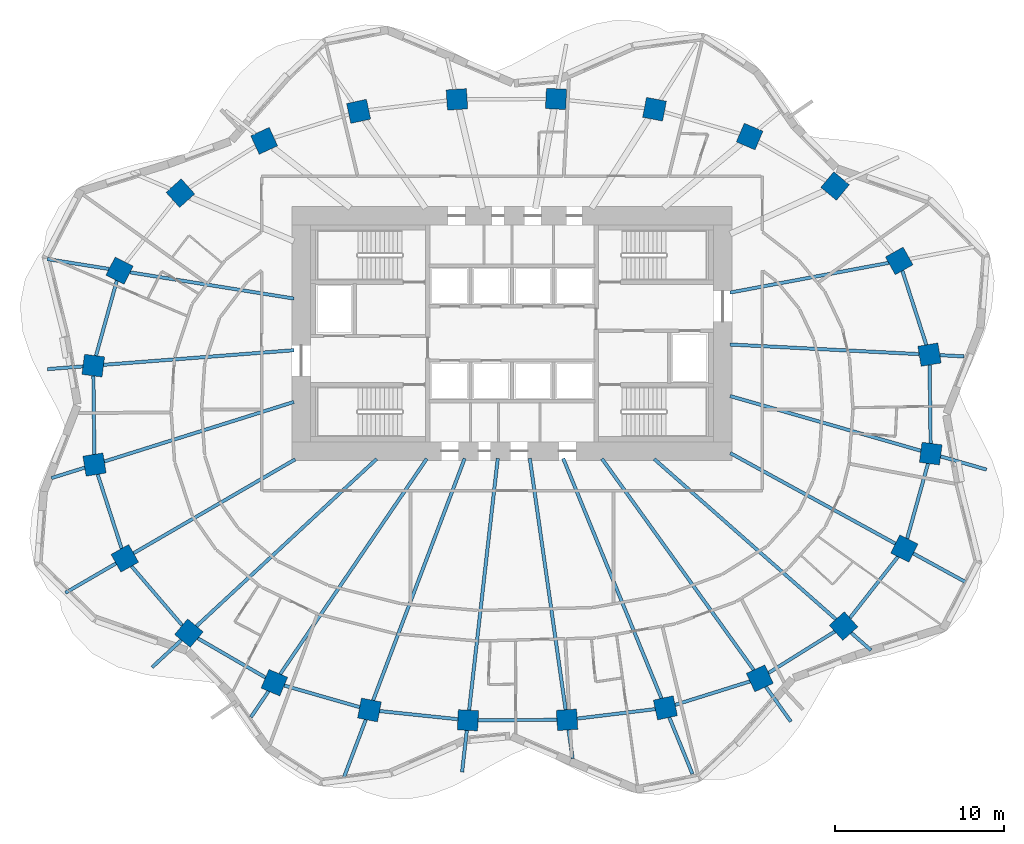
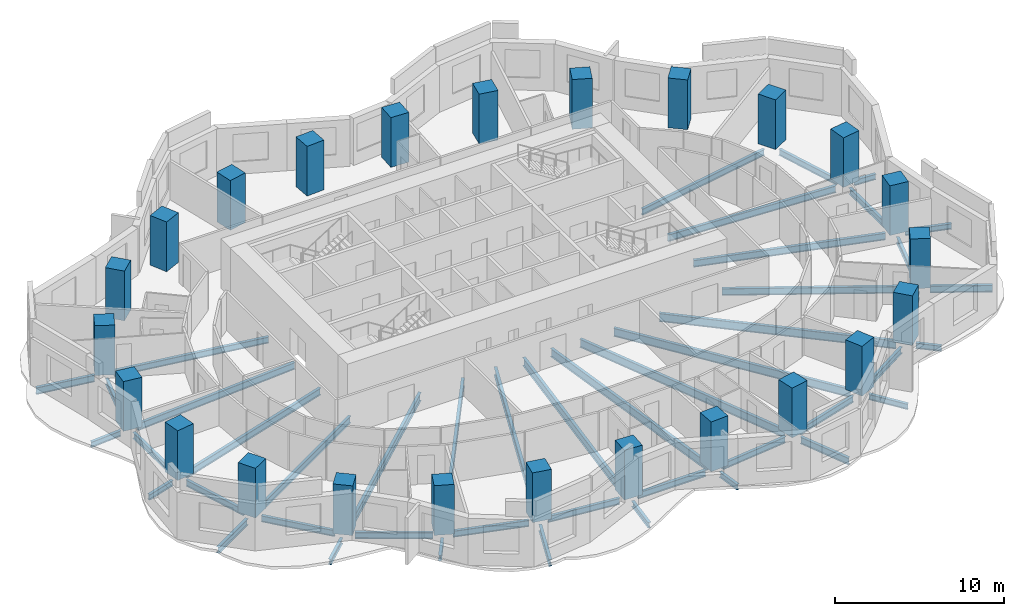
# One storey, part 1 of 10: 46 beams, 24 columns.
"""IFC4 building model written with IfcOpenShell, lengths in metres."""

from ifc_helpers import new_model, si_unit, direction, frame, origin, origin_2d, place, context, subcontext, project, spatial, rectangle, i_section, extrude, material, material_profile, profile_set, type_object, element, save


model = new_model("IFC4")

# Units and contexts
model_context = context("Model", 3, precision=1e-05, world=origin(), true_north=direction((0.0, 1.0)))
body_context = subcontext(model_context, "Body", "Model", "MODEL_VIEW")
ifc_project = project(units=[si_unit("LENGTHUNIT", "METRE"), si_unit("AREAUNIT", "SQUARE_METRE"), si_unit("VOLUMEUNIT", "CUBIC_METRE"), si_unit("PLANEANGLEUNIT", "RADIAN"), si_unit("MASSUNIT", "GRAM", prefix="KILO")], contexts=[model_context])

# Site, building, storey
site_placement = place(None, origin())
site = spatial("IfcSite", under=ifc_project, at=site_placement, CompositionType="ELEMENT")
building_placement = place(site_placement, origin())
building = spatial("IfcBuilding", under=site, at=building_placement, Name="Rubra Terraces Tower", CompositionType="ELEMENT")
storey_placement = place(building_placement, frame((0.0, 0.0, 110.39990234375)))
storey = spatial("IfcBuildingStorey", under=building, at=storey_placement, Name="L26", CompositionType="ELEMENT", Elevation=110.39990234375)

# Columns
ifc_material_1 = material(Name="Concrete C60", Category="concrete")
ifc_material_profile_1 = material_profile(ifc_material_1, rectangle(XDim=1.199951171875, YDim=1.199951171875, at=origin_2d()), Name="RC 1200x1200")
ifc_profile_set_1 = profile_set([ifc_material_profile_1], Name="Concrete C60")
column_type = type_object("IfcColumnType", Name="RING COLUMN RC 1200x1200 C60", PredefinedType="COLUMN", material=ifc_profile_set_1)
for number, where, z_axis, x_axis, name in (
    (1, (24.6689453125, 3.248046875, 0.0), (0.0, 0.0, 1.0), (-0.161559167715, 0.986863027642, 0.0), "column-L26-ring-01"),
    (2, (22.87890625, 8.787109375, 0.0), (0.0, 0.0, 1.0), (-0.48852601316, 0.872549330678, 0.0), "column-L26-ring-02"),
    (3, (19.092041015625, 13.208984375, 0.0), (0.0, 0.0, 1.0), (-0.76886986222, 0.63940529789, 0.0), "column-L26-ring-03"),
    (4, (14.0419921875, 16.135986328125, 0.0), (0.0, 0.0, 1.0), (-0.920167856842, 0.391524092789, 0.0), "column-L26-ring-04"),
    (5, (8.422119140625, 17.7490234375, 0.0), (0.0, 0.0, 1.0), (-0.981654668733, 0.19066754143, 0.0), "column-L26-ring-05"),
    (6, (2.60205078125, 18.35791015625, 0.0), (0.0, 0.0, 1.0), (-0.998764256028, 0.049698700995, 0.0), "column-L26-ring-06"),
    (7, (-3.25390625, 18.330078125, 0.0), (0.0, 0.0, 1.0), (-0.998031548759, -0.062713855578, 0.0), "column-L26-ring-07"),
    (8, (-9.06298828125, 17.625, 0.0), (0.0, 0.0, 1.0), (-0.977652674797, -0.210226657352, 0.0), "column-L26-ring-08"),
    (9, (-14.64306640625, 15.881103515625, 0.0), (0.0, 0.0, 1.0), (-0.908778580451, -0.417278673927, 0.0), "column-L26-ring-09"),
    (10, (-19.593017578125, 12.7900390625, 0.0), (0.0, 0.0, 1.0), (-0.744021317198, -0.668155879683, 0.0), "column-L26-ring-10"),
    (11, (-23.18505859375, 8.2099609375, 0.0), (0.0, 0.0, 1.0), (-0.451027931402, -0.892509834733, 0.0), "column-L26-ring-11"),
    (12, (-24.742919921875, 2.59912109375, 0.0), (0.0, 0.0, 1.0), (-0.128443684554, -0.991716804283, 0.0), "column-L26-ring-12"),
    (13, (-24.6689453125, -3.248046875, 0.0), (0.0, 0.0, 1.0), (0.161559167715, -0.986863027642, 0.0), "column-L26-ring-13"),
    (14, (-22.87890625, -8.787109375, 0.0), (0.0, 0.0, 1.0), (0.48852601316, -0.872549330678, 0.0), "column-L26-ring-14"),
    (15, (-19.092041015625, -13.208984375, 0.0), (0.0, 0.0, 1.0), (0.76886986222, -0.63940529789, 0.0), "column-L26-ring-15"),
    (16, (-14.0419921875, -16.135986328125, 0.0), (0.0, 0.0, 1.0), (0.920167856842, -0.391524092789, 0.0), "column-L26-ring-16"),
    (17, (-8.422119140625, -17.7490234375, 0.0), (0.0, 0.0, 1.0), (0.981654668733, -0.19066754143, 0.0), "column-L26-ring-17"),
    (18, (-2.60205078125, -18.35791015625, 0.0), (0.0, 0.0, 1.0), (0.998764256028, -0.049698700995, 0.0), "column-L26-ring-18"),
    (19, (3.25390625, -18.330078125, 0.0), (0.0, 0.0, 1.0), (0.998031548759, 0.062713855578, 0.0), "column-L26-ring-19"),
    (20, (9.06298828125, -17.625, 0.0), (0.0, 0.0, 1.0), (0.977652674797, 0.210226657352, 0.0), "column-L26-ring-20"),
    (21, (14.64306640625, -15.881103515625, 0.0), (0.0, 0.0, 1.0), (0.908778580451, 0.417278673927, 0.0), "column-L26-ring-21"),
    (22, (19.593017578125, -12.7900390625, 0.0), (0.0, 0.0, 1.0), (0.744021317198, 0.668155879683, 0.0), "column-L26-ring-22"),
    (23, (23.18505859375, -8.2099609375, 0.0), (0.0, 0.0, 1.0), (0.451027931402, 0.892509834733, 0.0), "column-L26-ring-23"),
    (24, (24.742919921875, -2.59912109375, 0.0), (0.0, 0.0, 1.0), (0.128443684554, 0.991716804283, 0.0), "column-L26-ring-24"),
):
    element("IfcColumn", number, at=place(storey_placement, frame(where, z_axis=z_axis, x_axis=x_axis)), inside=storey, type_object=column_type, Name=name, PredefinedType="COLUMN", context=body_context, shape_type="SweptSolid", body=[
        extrude(rectangle(XDim=1.199951171875, YDim=1.199951171875, at=origin_2d()), origin(), (0.0, 0.0, 1.0), 3.60009765625),
    ])

# Beams
ifc_material_2 = material(Name="Steel Q355B", Category="steel")
ifc_material_profile_2 = material_profile(ifc_material_2, i_section(OverallWidth=0.199951171875, OverallDepth=0.39990234375, WebThickness=0.008056640625, FlangeThickness=0.012939453125, at=origin_2d()), Name="HN 400x200x8x13")
ifc_profile_set_2 = profile_set([ifc_material_profile_2], Name="Steel Q355B")
beam_type_1 = type_object("IfcBeamType", Name="CANTILEVER BEAM HN 400x200x8x13", PredefinedType="BEAM", material=ifc_profile_set_2)
beam_1_placement = place(storey_placement, frame((-25.35400390625, 2.552001953125, -0.39990234375), z_axis=(-0.997081005005, -0.076350962387, 0.0), x_axis=(0.076350962387, -0.997081005005, 0.0)))
element("IfcBeam", 25, at=beam_1_placement, inside=storey, type_object=beam_type_1, Name="beam-L26-cant-12", PredefinedType="BEAM", context=body_context, shape_type="SweptSolid", body=[
    extrude(i_section(OverallWidth=0.199951171875, OverallDepth=0.39990234375, WebThickness=0.008056640625, FlangeThickness=0.012939453125, at=origin_2d()), origin(), (0.0, 0.0, 1.0), 2.107177734375),
])
beam_2_placement = place(storey_placement, frame((-25.2470703125, -3.429931640625, -0.39990234375), z_axis=(-0.954082762487, -0.299543122649, 0.0), x_axis=(0.299543122649, -0.954082762487, 0.0)))
element("IfcBeam", 26, at=beam_2_placement, inside=storey, type_object=beam_type_1, Name="beam-L26-cant-13", PredefinedType="BEAM", context=body_context, shape_type="SweptSolid", body=[
    extrude(i_section(OverallWidth=0.199951171875, OverallDepth=0.39990234375, WebThickness=0.008056640625, FlangeThickness=0.012939453125, at=origin_2d()), origin(), (0.0, 0.0, 1.0), 2.060546875),
])
beam_3_placement = place(storey_placement, frame((-19.535888671875, -13.6201171875, -0.39990234375), z_axis=(-0.733024491169, -0.680202245914, 0.0), x_axis=(0.680202245914, -0.733024491169, 0.0)))
element("IfcBeam", 27, at=beam_3_placement, inside=storey, type_object=beam_type_1, Name="beam-L26-cant-15", PredefinedType="BEAM", context=body_context, shape_type="SweptSolid", body=[
    extrude(i_section(OverallWidth=0.199951171875, OverallDepth=0.39990234375, WebThickness=0.008056640625, FlangeThickness=0.012939453125, at=origin_2d()), origin(), (0.0, 0.0, 1.0), 2.37109375),
])
beam_4_placement = place(storey_placement, frame((-14.385986328125, -16.64208984375, -0.39990234375), z_axis=(-0.56272184316, -0.826646313262, 0.0), x_axis=(0.826646313262, -0.56272184316, 0.0)))
element("IfcBeam", 28, at=beam_4_placement, inside=storey, type_object=beam_type_1, Name="beam-L26-cant-16", PredefinedType="BEAM", context=body_context, shape_type="SweptSolid", body=[
    extrude(i_section(OverallWidth=0.199951171875, OverallDepth=0.39990234375, WebThickness=0.008056640625, FlangeThickness=0.012939453125, at=origin_2d()), origin(), (0.0, 0.0, 1.0), 1.84814453125),
])
beam_5_placement = place(storey_placement, frame((-2.669921875, -18.955078125, -0.39990234375), z_axis=(-0.112971566193, -0.99359822123, 0.0), x_axis=(0.99359822123, -0.112971566193, 0.0)))
element("IfcBeam", 29, at=beam_5_placement, inside=storey, type_object=beam_type_1, Name="beam-L26-cant-18", PredefinedType="BEAM", context=body_context, shape_type="SweptSolid", body=[
    extrude(i_section(OverallWidth=0.199951171875, OverallDepth=0.39990234375, WebThickness=0.008056640625, FlangeThickness=0.012939453125, at=origin_2d()), origin(), (0.0, 0.0, 1.0), 2.478759765625),
])
beam_6_placement = place(storey_placement, frame((3.339111328125, -18.926025390625, -0.39990234375), z_axis=(0.14130158393, -0.989966596597, 0.0), x_axis=(0.989966596597, 0.14130158393, 0.0)))
element("IfcBeam", 30, at=beam_6_placement, inside=storey, type_object=beam_type_1, Name="beam-L26-cant-19", PredefinedType="BEAM", context=body_context, shape_type="SweptSolid", body=[
    extrude(i_section(OverallWidth=0.199951171875, OverallDepth=0.39990234375, WebThickness=0.008056640625, FlangeThickness=0.012939453125, at=origin_2d()), origin(), (0.0, 0.0, 1.0), 1.712158203125),
])
beam_7_placement = place(storey_placement, frame((15.0, -16.376953125, -0.39990234375), z_axis=(0.583425401371, -0.812166732288, 0.0), x_axis=(0.812166732288, 0.583425401371, 0.0)))
element("IfcBeam", 31, at=beam_7_placement, inside=storey, type_object=beam_type_1, Name="beam-L26-cant-21", PredefinedType="BEAM", context=body_context, shape_type="SweptSolid", body=[
    extrude(i_section(OverallWidth=0.199951171875, OverallDepth=0.39990234375, WebThickness=0.008056640625, FlangeThickness=0.012939453125, at=origin_2d()), origin(), (0.0, 0.0, 1.0), 2.53173828125),
])
beam_8_placement = place(storey_placement, frame((20.0458984375, -13.18994140625, -0.39990234375), z_axis=(0.749769131402, -0.661699516093, 0.0), x_axis=(0.661699516093, 0.749769131402, 0.0)))
element("IfcBeam", 32, at=beam_8_placement, inside=storey, type_object=beam_type_1, Name="beam-L26-cant-22", PredefinedType="BEAM", context=body_context, shape_type="SweptSolid", body=[
    extrude(i_section(OverallWidth=0.199951171875, OverallDepth=0.39990234375, WebThickness=0.008056640625, FlangeThickness=0.012939453125, at=origin_2d()), origin(), (0.0, 0.0, 1.0), 1.55517578125),
])
beam_9_placement = place(storey_placement, frame((25.325927734375, -2.76611328125, -0.39990234375), z_axis=(0.961210097917, -0.275817235977, 0.0), x_axis=(0.275817235977, 0.961210097917, 0.0)))
element("IfcBeam", 33, at=beam_9_placement, inside=storey, type_object=beam_type_1, Name="beam-L26-cant-24", PredefinedType="BEAM", context=body_context, shape_type="SweptSolid", body=[
    extrude(i_section(OverallWidth=0.199951171875, OverallDepth=0.39990234375, WebThickness=0.008056640625, FlangeThickness=0.012939453125, at=origin_2d()), origin(), (0.0, 0.0, 1.0), 2.82373046875),
])
ifc_material_profile_3 = material_profile(ifc_material_2, i_section(OverallWidth=0.198974609375, OverallDepth=0.446044921875, WebThickness=0.008056640625, FlangeThickness=0.011962890625, at=origin_2d()), Name="HN 446x199x8x12")
ifc_profile_set_3 = profile_set([ifc_material_profile_3], Name="Steel Q355B")
beam_type_2 = type_object("IfcBeamType", Name="CANTILEVER BEAM HN 446x199x8x12", PredefinedType="BEAM", material=ifc_profile_set_3)
beam_10_placement = place(storey_placement, frame((-23.39794921875, -9.087890625, -0.4228515625), z_axis=(-0.864651358246, -0.502372400399, 0.0), x_axis=(0.502372400399, -0.864651358246, 0.0)))
element("IfcBeam", 34, at=beam_10_placement, inside=storey, type_object=beam_type_2, Name="beam-L26-cant-14", PredefinedType="BEAM", context=body_context, shape_type="SweptSolid", body=[
    extrude(i_section(OverallWidth=0.198974609375, OverallDepth=0.446044921875, WebThickness=0.008056640625, FlangeThickness=0.011962890625, at=origin_2d()), origin(), (0.0, 0.0, 1.0), 3.455810546875),
])
ifc_material_profile_4 = material_profile(ifc_material_2, i_section(OverallWidth=0.198974609375, OverallDepth=0.49609375, WebThickness=0.009033203125, FlangeThickness=0.013916015625, at=origin_2d()), Name="HN 496x199x9x14")
ifc_profile_set_4 = profile_set([ifc_material_profile_4], Name="Steel Q355B")
beam_type_3 = type_object("IfcBeamType", Name="CANTILEVER BEAM HN 496x199x9x14", PredefinedType="BEAM", material=ifc_profile_set_4)
beam_11_placement = place(storey_placement, frame((-23.806884765625, 8.31005859375, -0.447998046875), z_axis=(-0.987475125266, 0.157774766614, 0.0), x_axis=(-0.157774766614, -0.987475125266, 0.0)))
element("IfcBeam", 35, at=beam_11_placement, inside=storey, type_object=beam_type_3, Name="beam-L26-cant-11", PredefinedType="BEAM", context=body_context, shape_type="SweptSolid", body=[
    extrude(i_section(OverallWidth=0.198974609375, OverallDepth=0.49609375, WebThickness=0.009033203125, FlangeThickness=0.013916015625, at=origin_2d()), origin(), (0.0, 0.0, 1.0), 3.70751953125),
])
beam_12_placement = place(storey_placement, frame((-8.637939453125, -18.318115234375, -0.447998046875), z_axis=(-0.35401019473, -0.935241563462, 0.0), x_axis=(0.935241563462, -0.35401019473, 0.0)))
element("IfcBeam", 36, at=beam_12_placement, inside=storey, type_object=beam_type_3, Name="beam-L26-cant-17", PredefinedType="BEAM", context=body_context, shape_type="SweptSolid", body=[
    extrude(i_section(OverallWidth=0.198974609375, OverallDepth=0.49609375, WebThickness=0.009033203125, FlangeThickness=0.013916015625, at=origin_2d()), origin(), (0.0, 0.0, 1.0), 3.71435546875),
])
beam_13_placement = place(storey_placement, frame((9.2939453125, -18.18896484375, -0.447998046875), z_axis=(0.379028484882, -0.925385005091, 0.0), x_axis=(0.925385005091, 0.379028484882, 0.0)))
element("IfcBeam", 37, at=beam_13_placement, inside=storey, type_object=beam_type_3, Name="beam-L26-cant-20", PredefinedType="BEAM", context=body_context, shape_type="SweptSolid", body=[
    extrude(i_section(OverallWidth=0.198974609375, OverallDepth=0.49609375, WebThickness=0.009033203125, FlangeThickness=0.013916015625, at=origin_2d()), origin(), (0.0, 0.0, 1.0), 3.603759765625),
])
beam_14_placement = place(storey_placement, frame((23.7109375, -8.4990234375, -0.447998046875), z_axis=(0.876912420627, -0.48065019146, 0.0), x_axis=(0.48065019146, 0.876912420627, 0.0)))
element("IfcBeam", 38, at=beam_14_placement, inside=storey, type_object=beam_type_3, Name="beam-L26-cant-23", PredefinedType="BEAM", context=body_context, shape_type="SweptSolid", body=[
    extrude(i_section(OverallWidth=0.198974609375, OverallDepth=0.49609375, WebThickness=0.009033203125, FlangeThickness=0.013916015625, at=origin_2d()), origin(), (0.0, 0.0, 1.0), 3.717529296875),
])
ifc_material_profile_5 = material_profile(ifc_material_2, i_section(OverallWidth=0.199951171875, OverallDepth=0.39990234375, WebThickness=0.008056640625, FlangeThickness=0.012939453125, at=origin_2d()), Name="HN 400x200x8x13")
ifc_profile_set_5 = profile_set([ifc_material_profile_5], Name="Steel Q355B")
beam_type_4 = type_object("IfcBeamType", Name="CANTILEVER STUB HN 400x200x8x13", PredefinedType="BEAM", material=ifc_profile_set_5)
beam_15_placement = place(storey_placement, frame((25.281982421875, 3.217041015625, -0.39990234375), z_axis=(0.998694153833, -0.051088032848, 0.0), x_axis=(0.051088032848, 0.998694153833, 0.0)))
element("IfcBeam", 39, at=beam_15_placement, inside=storey, type_object=beam_type_4, Name="beam-L26-cant-01", PredefinedType="BEAM", context=body_context, shape_type="SweptSolid", body=[
    extrude(i_section(OverallWidth=0.199951171875, OverallDepth=0.39990234375, WebThickness=0.008056640625, FlangeThickness=0.012939453125, at=origin_2d()), origin(), (0.0, 0.0, 1.0), 1.428955078125),
])
ifc_material_profile_6 = material_profile(ifc_material_2, i_section(OverallWidth=0.198974609375, OverallDepth=0.446044921875, WebThickness=0.008056640625, FlangeThickness=0.011962890625, at=origin_2d()), Name="HN 446x199x8x12")
ifc_profile_set_6 = profile_set([ifc_material_profile_6], Name="Steel Q355B")
beam_type_5 = type_object("IfcBeamType", Name="FLOOR BEAM HN 446x199x8x12", PredefinedType="BEAM", material=ifc_profile_set_6)
beam_16_placement = place(storey_placement, frame((22.257080078125, 8.669921875, -0.4228515625), z_axis=(-0.982909257943, -0.184090713102, 0.0), x_axis=(0.184090713102, -0.982909257943, 0.0)))
element("IfcBeam", 40, at=beam_16_placement, inside=storey, type_object=beam_type_5, Name="beam-L26-floor-02", PredefinedType="BEAM", context=body_context, shape_type="SweptSolid", body=[
    extrude(i_section(OverallWidth=0.198974609375, OverallDepth=0.446044921875, WebThickness=0.008056640625, FlangeThickness=0.011962890625, at=origin_2d()), origin(), (0.0, 0.0, 1.0), 9.5380859375),
])
beam_17_placement = place(storey_placement, frame((-22.56298828125, 8.110107421875, -0.4228515625), z_axis=(0.987438611706, -0.158003126908, 0.0), x_axis=(0.158003126908, 0.987438611706, 0.0)))
element("IfcBeam", 41, at=beam_17_placement, inside=storey, type_object=beam_type_5, Name="beam-L26-floor-11", PredefinedType="BEAM", context=body_context, shape_type="SweptSolid", body=[
    extrude(i_section(OverallWidth=0.198974609375, OverallDepth=0.446044921875, WebThickness=0.008056640625, FlangeThickness=0.011962890625, at=origin_2d()), origin(), (0.0, 0.0, 1.0), 9.803955078125),
])
ifc_material_profile_7 = material_profile(ifc_material_2, i_section(OverallWidth=0.198974609375, OverallDepth=0.49609375, WebThickness=0.009033203125, FlangeThickness=0.013916015625, at=origin_2d()), Name="HN 496x199x9x14")
ifc_profile_set_7 = profile_set([ifc_material_profile_7], Name="Steel Q355B")
beam_type_6 = type_object("IfcBeamType", Name="FLOOR BEAM HN 496x199x9x14", PredefinedType="BEAM", material=ifc_profile_set_7)
beam_18_placement = place(storey_placement, frame((24.055908203125, 3.279052734375, -0.447998046875), z_axis=(-0.998716006853, 0.050659033312, 0.0), x_axis=(-0.050659033312, -0.998716006853, 0.0)))
element("IfcBeam", 42, at=beam_18_placement, inside=storey, type_object=beam_type_6, Name="beam-L26-floor-01", PredefinedType="BEAM", context=body_context, shape_type="SweptSolid", body=[
    extrude(i_section(OverallWidth=0.198974609375, OverallDepth=0.49609375, WebThickness=0.009033203125, FlangeThickness=0.013916015625, at=origin_2d()), origin(), (0.0, 0.0, 1.0), 11.1904296875),
])
beam_19_placement = place(storey_placement, frame((-24.132080078125, 2.64599609375, -0.447998046875), z_axis=(0.99706491124, 0.076560843604, 0.0), x_axis=(-0.076560843604, 0.99706491124, 0.0)))
element("IfcBeam", 43, at=beam_19_placement, inside=storey, type_object=beam_type_6, Name="beam-L26-floor-12", PredefinedType="BEAM", context=body_context, shape_type="SweptSolid", body=[
    extrude(i_section(OverallWidth=0.198974609375, OverallDepth=0.49609375, WebThickness=0.009033203125, FlangeThickness=0.013916015625, at=origin_2d()), origin(), (0.0, 0.0, 1.0), 11.285400390625),
])
beam_20_placement = place(storey_placement, frame((-24.091064453125, -3.06591796875, -0.447998046875), z_axis=(0.954061815263, 0.299609834046, 0.0), x_axis=(-0.299609834046, 0.954061815263, 0.0)))
element("IfcBeam", 44, at=beam_20_placement, inside=storey, type_object=beam_type_6, Name="beam-L26-floor-13", PredefinedType="BEAM", context=body_context, shape_type="SweptSolid", body=[
    extrude(i_section(OverallWidth=0.198974609375, OverallDepth=0.49609375, WebThickness=0.009033203125, FlangeThickness=0.013916015625, at=origin_2d()), origin(), (0.0, 0.0, 1.0), 11.74462890625),
])
beam_21_placement = place(storey_placement, frame((-22.360107421875, -8.486083984375, -0.447998046875), z_axis=(0.864729170152, 0.502238451623, 0.0), x_axis=(-0.502238451623, 0.864729170152, 0.0)))
element("IfcBeam", 45, at=beam_21_placement, inside=storey, type_object=beam_type_6, Name="beam-L26-floor-14", PredefinedType="BEAM", context=body_context, shape_type="SweptSolid", body=[
    extrude(i_section(OverallWidth=0.198974609375, OverallDepth=0.49609375, WebThickness=0.009033203125, FlangeThickness=0.013916015625, at=origin_2d()), origin(), (0.0, 0.0, 1.0), 11.04296875),
])
beam_22_placement = place(storey_placement, frame((22.658935546875, -7.9208984375, -0.447998046875), z_axis=(-0.876910796921, 0.480653153785, 0.0), x_axis=(-0.480653153785, -0.876910796921, 0.0)))
element("IfcBeam", 46, at=beam_22_placement, inside=storey, type_object=beam_type_6, Name="beam-L26-floor-23", PredefinedType="BEAM", context=body_context, shape_type="SweptSolid", body=[
    extrude(i_section(OverallWidth=0.198974609375, OverallDepth=0.49609375, WebThickness=0.009033203125, FlangeThickness=0.013916015625, at=origin_2d()), origin(), (0.0, 0.0, 1.0), 11.134521484375),
])
beam_23_placement = place(storey_placement, frame((24.159912109375, -2.431884765625, -0.447998046875), z_axis=(-0.9612201884, 0.275782068691, 0.0), x_axis=(-0.275782068691, -0.9612201884, 0.0)))
element("IfcBeam", 47, at=beam_23_placement, inside=storey, type_object=beam_type_6, Name="beam-L26-floor-24", PredefinedType="BEAM", context=body_context, shape_type="SweptSolid", body=[
    extrude(i_section(OverallWidth=0.198974609375, OverallDepth=0.49609375, WebThickness=0.009033203125, FlangeThickness=0.013916015625, at=origin_2d()), origin(), (0.0, 0.0, 1.0), 11.729736328125),
])
ifc_material_profile_8 = material_profile(ifc_material_2, i_section(OverallWidth=0.198974609375, OverallDepth=0.595947265625, WebThickness=0.010009765625, FlangeThickness=0.014892578125, at=origin_2d()), Name="HN 596x199x10x15")
ifc_profile_set_8 = profile_set([ifc_material_profile_8], Name="Steel Q355B")
beam_type_7 = type_object("IfcBeamType", Name="FLOOR BEAM HN 596x199x10x15", PredefinedType="BEAM", material=ifc_profile_set_8)
beam_24_placement = place(storey_placement, frame((-18.64794921875, -12.798095703125, -0.497802734375), z_axis=(0.733104668463, 0.680115832104, 0.0), x_axis=(-0.680115832104, 0.733104668463, 0.0)))
element("IfcBeam", 48, at=beam_24_placement, inside=storey, type_object=beam_type_7, Name="beam-L26-floor-15", PredefinedType="BEAM", context=body_context, shape_type="SweptSolid", body=[
    extrude(i_section(OverallWidth=0.198974609375, OverallDepth=0.595947265625, WebThickness=0.010009765625, FlangeThickness=0.014892578125, at=origin_2d()), origin(), (0.0, 0.0, 1.0), 14.527099609375),
])
beam_25_placement = place(storey_placement, frame((-13.697998046875, -15.6298828125, -0.497802734375), z_axis=(0.562593638313, 0.82673357143, 0.0), x_axis=(-0.82673357143, 0.562593638313, 0.0)))
element("IfcBeam", 49, at=beam_25_placement, inside=storey, type_object=beam_type_7, Name="beam-L26-floor-16", PredefinedType="BEAM", context=body_context, shape_type="SweptSolid", body=[
    extrude(i_section(OverallWidth=0.198974609375, OverallDepth=0.595947265625, WebThickness=0.010009765625, FlangeThickness=0.014892578125, at=origin_2d()), origin(), (0.0, 0.0, 1.0), 15.396728515625),
])
beam_26_placement = place(storey_placement, frame((-8.2060546875, -17.179931640625, -0.497802734375), z_axis=(0.35395819717, 0.935261244068, 0.0), x_axis=(-0.935261244068, 0.35395819717, 0.0)))
element("IfcBeam", 50, at=beam_26_placement, inside=storey, type_object=beam_type_7, Name="beam-L26-floor-17", PredefinedType="BEAM", context=body_context, shape_type="SweptSolid", body=[
    extrude(i_section(OverallWidth=0.198974609375, OverallDepth=0.595947265625, WebThickness=0.010009765625, FlangeThickness=0.014892578125, at=origin_2d()), origin(), (0.0, 0.0, 1.0), 15.28125),
])
beam_27_placement = place(storey_placement, frame((-2.533935546875, -17.760986328125, -0.497802734375), z_axis=(0.113104280783, 0.993583122677, 0.0), x_axis=(-0.993583122677, 0.113104280783, 0.0)))
element("IfcBeam", 51, at=beam_27_placement, inside=storey, type_object=beam_type_7, Name="beam-L26-floor-18", PredefinedType="BEAM", context=body_context, shape_type="SweptSolid", body=[
    extrude(i_section(OverallWidth=0.198974609375, OverallDepth=0.595947265625, WebThickness=0.010009765625, FlangeThickness=0.014892578125, at=origin_2d()), origin(), (0.0, 0.0, 1.0), 14.97607421875),
])
beam_28_placement = place(storey_placement, frame((3.1689453125, -17.73388671875, -0.497802734375), z_axis=(-0.141102399867, 0.989995006428, 0.0), x_axis=(-0.989995006428, -0.141102399867, 0.0)))
element("IfcBeam", 52, at=beam_28_placement, inside=storey, type_object=beam_type_7, Name="beam-L26-floor-19", PredefinedType="BEAM", context=body_context, shape_type="SweptSolid", body=[
    extrude(i_section(OverallWidth=0.198974609375, OverallDepth=0.595947265625, WebThickness=0.010009765625, FlangeThickness=0.014892578125, at=origin_2d()), origin(), (0.0, 0.0, 1.0), 15.0029296875),
])
beam_29_placement = place(storey_placement, frame((8.83203125, -17.06103515625, -0.497802734375), z_axis=(-0.379038143634, 0.925381048904, 0.0), x_axis=(-0.925381048904, -0.379038143634, 0.0)))
element("IfcBeam", 53, at=beam_29_placement, inside=storey, type_object=beam_type_7, Name="beam-L26-floor-20", PredefinedType="BEAM", context=body_context, shape_type="SweptSolid", body=[
    extrude(i_section(OverallWidth=0.198974609375, OverallDepth=0.595947265625, WebThickness=0.010009765625, FlangeThickness=0.014892578125, at=origin_2d()), origin(), (0.0, 0.0, 1.0), 15.31494140625),
])
beam_30_placement = place(storey_placement, frame((14.285888671875, -15.385009765625, -0.497802734375), z_axis=(-0.583480892091, 0.812126867284, 0.0), x_axis=(-0.812126867284, -0.583480892091, 0.0)))
element("IfcBeam", 54, at=beam_30_placement, inside=storey, type_object=beam_type_7, Name="beam-L26-floor-21", PredefinedType="BEAM", context=body_context, shape_type="SweptSolid", body=[
    extrude(i_section(OverallWidth=0.198974609375, OverallDepth=0.595947265625, WebThickness=0.010009765625, FlangeThickness=0.014892578125, at=origin_2d()), origin(), (0.0, 0.0, 1.0), 15.369384765625),
])
beam_31_placement = place(storey_placement, frame((19.139892578125, -12.389892578125, -0.497802734375), z_axis=(-0.749820430817, 0.661641384384, 0.0), x_axis=(-0.661641384384, -0.749820430817, 0.0)))
element("IfcBeam", 55, at=beam_31_placement, inside=storey, type_object=beam_type_7, Name="beam-L26-floor-22", PredefinedType="BEAM", context=body_context, shape_type="SweptSolid", body=[
    extrude(i_section(OverallWidth=0.198974609375, OverallDepth=0.595947265625, WebThickness=0.010009765625, FlangeThickness=0.014892578125, at=origin_2d()), origin(), (0.0, 0.0, 1.0), 14.311279296875),
])
ifc_material_profile_9 = material_profile(ifc_material_2, i_section(OverallWidth=0.198974609375, OverallDepth=0.446044921875, WebThickness=0.008056640625, FlangeThickness=0.011962890625, at=origin_2d()), Name="HN 446x199x8x12")
ifc_profile_set_9 = profile_set([ifc_material_profile_9], Name="Steel Q355B")
beam_type_8 = type_object("IfcBeamType", Name="SPANDREL BEAM HN 446x199x8x12", PredefinedType="SPANDREL", material=ifc_profile_set_9)
beam_32_placement = place(storey_placement, frame((24.48193359375, 3.824951171875, -0.4228515625), z_axis=(-0.307414966872, 0.951575555667, 0.0), x_axis=(-0.951575555667, -0.307414966872, 0.0)))
element("IfcBeam", 56, at=beam_32_placement, inside=storey, type_object=beam_type_8, Name="beam-L26-spandrel-01", PredefinedType="SPANDREL", context=body_context, shape_type="SweptSolid", body=[
    extrude(i_section(OverallWidth=0.198974609375, OverallDepth=0.446044921875, WebThickness=0.008056640625, FlangeThickness=0.011962890625, at=origin_2d()), origin(), (0.0, 0.0, 1.0), 4.60302734375),
])
beam_33_placement = place(storey_placement, frame((-23.34912109375, 7.6201171875, -0.4228515625), z_axis=(-0.26752901479, -0.963549804756, 0.0), x_axis=(0.963549804756, -0.26752901479, 0.0)))
element("IfcBeam", 57, at=beam_33_placement, inside=storey, type_object=beam_type_8, Name="beam-L26-spandrel-11", PredefinedType="SPANDREL", context=body_context, shape_type="SweptSolid", body=[
    extrude(i_section(OverallWidth=0.198974609375, OverallDepth=0.446044921875, WebThickness=0.008056640625, FlangeThickness=0.011962890625, at=origin_2d()), origin(), (0.0, 0.0, 1.0), 4.60498046875),
])
beam_34_placement = place(storey_placement, frame((-24.735107421875, 1.992919921875, -0.4228515625), z_axis=(0.012537869063, -0.999921397831, 0.0), x_axis=(0.999921397831, 0.012537869063, 0.0)))
element("IfcBeam", 58, at=beam_34_placement, inside=storey, type_object=beam_type_8, Name="beam-L26-spandrel-12", PredefinedType="SPANDREL", context=body_context, shape_type="SweptSolid", body=[
    extrude(i_section(OverallWidth=0.198974609375, OverallDepth=0.446044921875, WebThickness=0.008056640625, FlangeThickness=0.011962890625, at=origin_2d()), origin(), (0.0, 0.0, 1.0), 4.63427734375),
])
beam_35_placement = place(storey_placement, frame((-24.48193359375, -3.824951171875, -0.4228515625), z_axis=(0.307414966872, -0.951575555667, 0.0), x_axis=(0.951575555667, 0.307414966872, 0.0)))
element("IfcBeam", 59, at=beam_35_placement, inside=storey, type_object=beam_type_8, Name="beam-L26-spandrel-13", PredefinedType="SPANDREL", context=body_context, shape_type="SweptSolid", body=[
    extrude(i_section(OverallWidth=0.198974609375, OverallDepth=0.446044921875, WebThickness=0.008056640625, FlangeThickness=0.011962890625, at=origin_2d()), origin(), (0.0, 0.0, 1.0), 4.60302734375),
])
beam_36_placement = place(storey_placement, frame((-22.48095703125, -9.251953125, -0.4228515625), z_axis=(0.650428637413, -0.759567368726, 0.0), x_axis=(0.759567368726, 0.650428637413, 0.0)))
element("IfcBeam", 60, at=beam_36_placement, inside=storey, type_object=beam_type_8, Name="beam-L26-spandrel-14", PredefinedType="SPANDREL", context=body_context, shape_type="SweptSolid", body=[
    extrude(i_section(OverallWidth=0.198974609375, OverallDepth=0.446044921875, WebThickness=0.008056640625, FlangeThickness=0.011962890625, at=origin_2d()), origin(), (0.0, 0.0, 1.0), 4.6015625),
])
beam_37_placement = place(storey_placement, frame((-18.56494140625, -13.513916015625, -0.4228515625), z_axis=(0.865116425734, -0.501571101565, 0.0), x_axis=(0.501571101565, 0.865116425734, 0.0)))
element("IfcBeam", 61, at=beam_37_placement, inside=storey, type_object=beam_type_8, Name="beam-L26-spandrel-15", PredefinedType="SPANDREL", context=body_context, shape_type="SweptSolid", body=[
    extrude(i_section(OverallWidth=0.198974609375, OverallDepth=0.446044921875, WebThickness=0.008056640625, FlangeThickness=0.011962890625, at=origin_2d()), origin(), (0.0, 0.0, 1.0), 4.62353515625),
])
beam_38_placement = place(storey_placement, frame((-13.4609375, -16.302978515625, -0.4228515625), z_axis=(0.961195652649, -0.275867572085, 0.0), x_axis=(0.275867572085, 0.961195652649, 0.0)))
element("IfcBeam", 62, at=beam_38_placement, inside=storey, type_object=beam_type_8, Name="beam-L26-spandrel-16", PredefinedType="SPANDREL", context=body_context, shape_type="SweptSolid", body=[
    extrude(i_section(OverallWidth=0.198974609375, OverallDepth=0.446044921875, WebThickness=0.008056640625, FlangeThickness=0.011962890625, at=origin_2d()), origin(), (0.0, 0.0, 1.0), 4.639892578125),
])
beam_39_placement = place(storey_placement, frame((-7.822998046875, -17.81201171875, -0.4228515625), z_axis=(0.994588599148, -0.103891859374, 0.0), x_axis=(0.103891859374, 0.994588599148, 0.0)))
element("IfcBeam", 63, at=beam_39_placement, inside=storey, type_object=beam_type_8, Name="beam-L26-spandrel-17", PredefinedType="SPANDREL", context=body_context, shape_type="SweptSolid", body=[
    extrude(i_section(OverallWidth=0.198974609375, OverallDepth=0.446044921875, WebThickness=0.008056640625, FlangeThickness=0.011962890625, at=origin_2d()), origin(), (0.0, 0.0, 1.0), 4.648193359375),
])
beam_40_placement = place(storey_placement, frame((-2.0009765625, -18.35498046875, -0.4228515625), z_axis=(0.99998885538, 0.004721135025, 0.0), x_axis=(-0.004721135025, 0.99998885538, 0.0)))
element("IfcBeam", 64, at=beam_40_placement, inside=storey, type_object=beam_type_8, Name="beam-L26-spandrel-18", PredefinedType="SPANDREL", context=body_context, shape_type="SweptSolid", body=[
    extrude(i_section(OverallWidth=0.198974609375, OverallDepth=0.446044921875, WebThickness=0.008056640625, FlangeThickness=0.011962890625, at=origin_2d()), origin(), (0.0, 0.0, 1.0), 4.654052734375),
])
beam_41_placement = place(storey_placement, frame((3.85107421875, -18.258056640625, -0.4228515625), z_axis=(0.992713612833, 0.120497646851, 0.0), x_axis=(-0.120497646851, 0.992713612833, 0.0)))
element("IfcBeam", 65, at=beam_41_placement, inside=storey, type_object=beam_type_8, Name="beam-L26-spandrel-19", PredefinedType="SPANDREL", context=body_context, shape_type="SweptSolid", body=[
    extrude(i_section(OverallWidth=0.198974609375, OverallDepth=0.446044921875, WebThickness=0.008056640625, FlangeThickness=0.011962890625, at=origin_2d()), origin(), (0.0, 0.0, 1.0), 4.64794921875),
])
beam_42_placement = place(storey_placement, frame((9.637939453125, -17.445068359375, -0.4228515625), z_axis=(0.954462184919, 0.298331925142, 0.0), x_axis=(-0.298331925142, 0.954462184919, 0.0)))
element("IfcBeam", 66, at=beam_42_placement, inside=storey, type_object=beam_type_8, Name="beam-L26-spandrel-20", PredefinedType="SPANDREL", context=body_context, shape_type="SweptSolid", body=[
    extrude(i_section(OverallWidth=0.198974609375, OverallDepth=0.446044921875, WebThickness=0.008056640625, FlangeThickness=0.011962890625, at=origin_2d()), origin(), (0.0, 0.0, 1.0), 4.63916015625),
])
beam_43_placement = place(storey_placement, frame((15.156005859375, -15.56103515625, -0.4228515625), z_axis=(0.848188188849, 0.529695003089, 0.0), x_axis=(-0.529695003089, 0.848188188849, 0.0)))
element("IfcBeam", 67, at=beam_43_placement, inside=storey, type_object=beam_type_8, Name="beam-L26-spandrel-21", PredefinedType="SPANDREL", context=body_context, shape_type="SweptSolid", body=[
    extrude(i_section(OverallWidth=0.198974609375, OverallDepth=0.446044921875, WebThickness=0.008056640625, FlangeThickness=0.011962890625, at=origin_2d()), origin(), (0.0, 0.0, 1.0), 4.62158203125),
])
beam_44_placement = place(storey_placement, frame((19.968994140625, -12.31103515625, -0.4228515625), z_axis=(0.61694919408, 0.787002980886, 0.0), x_axis=(-0.787002980886, 0.61694919408, 0.0)))
element("IfcBeam", 68, at=beam_44_placement, inside=storey, type_object=beam_type_8, Name="beam-L26-spandrel-22", PredefinedType="SPANDREL", context=body_context, shape_type="SweptSolid", body=[
    extrude(i_section(OverallWidth=0.198974609375, OverallDepth=0.446044921875, WebThickness=0.008056640625, FlangeThickness=0.011962890625, at=origin_2d()), origin(), (0.0, 0.0, 1.0), 4.599853515625),
])
beam_45_placement = place(storey_placement, frame((23.34912109375, -7.6201171875, -0.4228515625), z_axis=(0.26752901479, 0.963549804756, 0.0), x_axis=(-0.963549804756, 0.26752901479, 0.0)))
element("IfcBeam", 69, at=beam_45_placement, inside=storey, type_object=beam_type_8, Name="beam-L26-spandrel-23", PredefinedType="SPANDREL", context=body_context, shape_type="SweptSolid", body=[
    extrude(i_section(OverallWidth=0.198974609375, OverallDepth=0.446044921875, WebThickness=0.008056640625, FlangeThickness=0.011962890625, at=origin_2d()), origin(), (0.0, 0.0, 1.0), 4.60498046875),
])
beam_46_placement = place(storey_placement, frame((24.735107421875, -1.992919921875, -0.4228515625), z_axis=(-0.012537869063, 0.999921397831, 0.0), x_axis=(-0.999921397831, -0.012537869063, 0.0)))
element("IfcBeam", 70, at=beam_46_placement, inside=storey, type_object=beam_type_8, Name="beam-L26-spandrel-24", PredefinedType="SPANDREL", context=body_context, shape_type="SweptSolid", body=[
    extrude(i_section(OverallWidth=0.198974609375, OverallDepth=0.446044921875, WebThickness=0.008056640625, FlangeThickness=0.011962890625, at=origin_2d()), origin(), (0.0, 0.0, 1.0), 4.63427734375),
])

save(model, "model.ifc")
